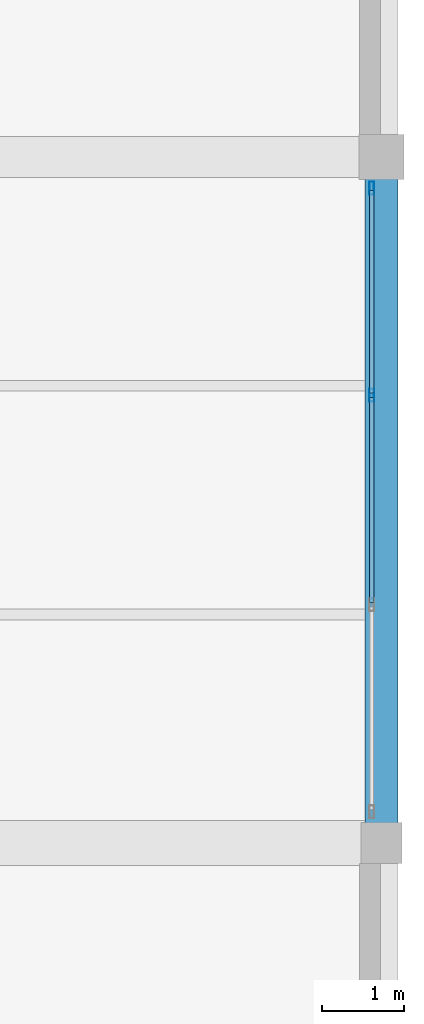
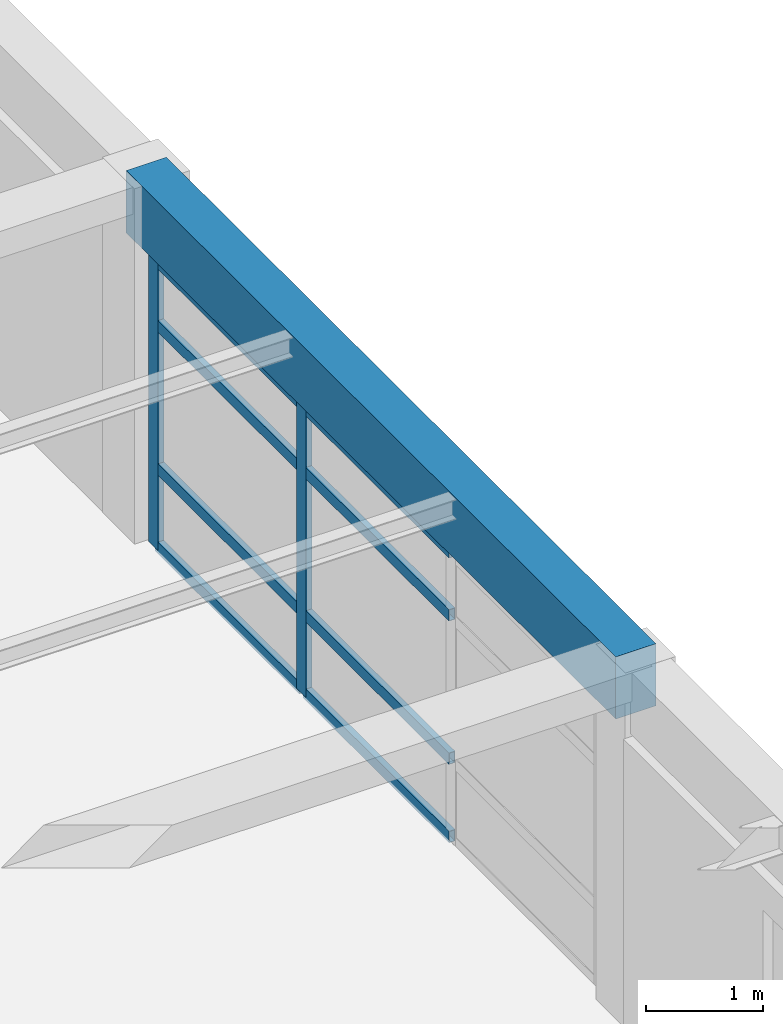
# One storey, part 16 of 20: 10 members, 1 beam, 1 element without a shape of its own.
"""IFC4 building model written with IfcOpenShell, lengths in metres."""

from ifc_helpers import new_model, si_unit, direction, frame, origin, origin_2d, place, context, subcontext, project, spatial, rectangle, hollow_rectangle, extrude, material, material_profile, profile_set, type_object, element, aggregate, save


model = new_model("IFC4")

# Units and contexts
model_context = context("Model", 3, precision=1e-05, world=origin(), true_north=direction((0.0, 1.0)))
body_context = subcontext(model_context, "Body", "Model", "MODEL_VIEW")
ifc_project = project(units=[si_unit("LENGTHUNIT", "METRE"), si_unit("AREAUNIT", "SQUARE_METRE"), si_unit("VOLUMEUNIT", "CUBIC_METRE"), si_unit("PLANEANGLEUNIT", "RADIAN"), si_unit("MASSUNIT", "GRAM", prefix="KILO")], contexts=[model_context])

# Site, building, storey
site_placement = place(None, origin())
site = spatial("IfcSite", under=ifc_project, at=site_placement, CompositionType="ELEMENT")
building_placement = place(site_placement, origin())
building = spatial("IfcBuilding", under=site, at=building_placement, Name="Almacenes y Pasaje Nevantli", CompositionType="ELEMENT")
storey_placement = place(building_placement, frame((0.0, 0.0, 62.699951171875)))
storey = spatial("IfcBuildingStorey", under=building, at=storey_placement, Name="L15", CompositionType="ELEMENT", Elevation=62.699951171875)

# Beam
ifc_material_1 = material(Name="Concrete C35/45", Category="concrete")
ifc_material_profile_1 = material_profile(ifc_material_1, rectangle(XDim=0.39990234375, YDim=0.64990234375, at=origin_2d()), Name="RC-BM-400x650")
ifc_profile_set_1 = profile_set([ifc_material_profile_1], Name="Concrete C35/45")
beam_type = type_object("IfcBeamType", Name="BM-RC-400x650", PredefinedType="SPANDREL", material=ifc_profile_set_1)
beam_placement = place(storey_placement, frame((151.199951171875, 75.60009765625, 3.39501953125), z_axis=(0.0, 1.0, 0.0), x_axis=(-1.0, 0.0, 0.0)))
element("IfcBeam", 1, at=beam_placement, inside=storey, type_object=beam_type, Name="L15 North-South Reinforced Concrete Beam #4041", PredefinedType="SPANDREL", context=body_context, shape_type="SweptSolid", body=[
    extrude(rectangle(XDim=0.39990234375, YDim=0.64990234375, at=origin_2d()), origin(), (0.0, 0.0, 1.0), 8.39990234375),
])

# Curtain wall, members
ifc_material_2 = material(Name="Thermally Broken Aluminium and Low-E Glass", Category="aluminium")
curtain_wall_type = type_object("IfcCurtainWallType", Name="CW-UNIT-TOWER", PredefinedType="USERDEFINED", material=ifc_material_2)
curtain_wall_placement = place(storey_placement, origin())
curtain_wall = element("IfcCurtainWall", 2, at=curtain_wall_placement, inside=storey, type_object=curtain_wall_type, Name="L15 Tower East Curtain Wall Bay 10", ObjectType="UNITIZED CURTAIN WALL", PredefinedType="USERDEFINED")
ifc_material_3 = material(Name="Thermally Broken Anodized Aluminium", Category="aluminium")
ifc_material_profile_2 = material_profile(ifc_material_3, hollow_rectangle(XDim=0.06005859375, YDim=0.159912109375, WallThickness=0.00390625, at=origin_2d()), Name="ALU-MUL-60x160")
ifc_profile_set_2 = profile_set([ifc_material_profile_2], Name="Thermally Broken Anodized Aluminium")
member_type_1 = type_object("IfcMemberType", Name="CW-MUL-180", PredefinedType="MULLION", material=ifc_profile_set_2)
member_1_placement = place(storey_placement, frame((151.080078125, 81.083251953125, 0.0), z_axis=(0.0, 0.0, 1.0), x_axis=(-1.0, 0.0, 0.0)))
member_1 = element("IfcMember", 3, at=member_1_placement, type_object=member_type_1, Name="CW-L15-189 mullion 3", PredefinedType="MULLION", context=body_context, shape_type="SweptSolid", body=[
    extrude(hollow_rectangle(XDim=0.06005859375, YDim=0.159912109375, WallThickness=0.00390625, at=origin_2d()), origin(), (0.0, 0.0, 1.0), 3.0400390625),
])
member_2_placement = place(storey_placement, frame((151.080078125, 83.6201171875, 0.0), z_axis=(0.0, 0.0, 1.0), x_axis=(-1.0, 0.0, 0.0)))
member_2 = element("IfcMember", 4, at=member_2_placement, type_object=member_type_1, Name="CW-L15-189 mullion 4", PredefinedType="MULLION", context=body_context, shape_type="SweptSolid", body=[
    extrude(hollow_rectangle(XDim=0.06005859375, YDim=0.159912109375, WallThickness=0.00390625, at=origin_2d()), origin(), (0.0, 0.0, 1.0), 3.0400390625),
])
ifc_material_4 = material(Name="Thermally Broken Anodized Aluminium", Category="aluminium")
ifc_material_profile_3 = material_profile(ifc_material_4, hollow_rectangle(XDim=0.06005859375, YDim=0.1201171875, WallThickness=0.00341796875, at=origin_2d()), Name="ALU-TRN-60x120")
ifc_profile_set_3 = profile_set([ifc_material_profile_3], Name="Thermally Broken Anodized Aluminium")
member_type_2 = type_object("IfcMemberType", Name="CW-TRN-130", PredefinedType="USERDEFINED", material=ifc_profile_set_3)
member_3_placement = place(storey_placement, frame((151.080078125, 78.546630859375, 0.030029296875), z_axis=(0.0, 1.0, 0.0), x_axis=(-1.0, 0.0, 0.0)))
member_3 = element("IfcMember", 5, at=member_3_placement, type_object=member_type_2, Name="CW-L15-189 transom 2.1", ObjectType="TRANSOM", PredefinedType="USERDEFINED", context=body_context, shape_type="SweptSolid", body=[
    extrude(hollow_rectangle(XDim=0.06005859375, YDim=0.1201171875, WallThickness=0.00341796875, at=origin_2d()), origin(), (0.0, 0.0, 1.0), 2.506591796875),
])
member_4_placement = place(storey_placement, frame((151.080078125, 78.546630859375, 0.85009765625), z_axis=(0.0, 1.0, 0.0), x_axis=(-1.0, 0.0, 0.0)))
member_4 = element("IfcMember", 6, at=member_4_placement, type_object=member_type_2, Name="CW-L15-189 transom 2.2", ObjectType="TRANSOM", PredefinedType="USERDEFINED", context=body_context, shape_type="SweptSolid", body=[
    extrude(hollow_rectangle(XDim=0.06005859375, YDim=0.1201171875, WallThickness=0.00341796875, at=origin_2d()), origin(), (0.0, 0.0, 1.0), 2.506591796875),
])
member_5_placement = place(storey_placement, frame((151.080078125, 78.546630859375, 2.35009765625), z_axis=(0.0, 1.0, 0.0), x_axis=(-1.0, 0.0, 0.0)))
member_5 = element("IfcMember", 7, at=member_5_placement, type_object=member_type_2, Name="CW-L15-189 transom 2.3", ObjectType="TRANSOM", PredefinedType="USERDEFINED", context=body_context, shape_type="SweptSolid", body=[
    extrude(hollow_rectangle(XDim=0.06005859375, YDim=0.1201171875, WallThickness=0.00341796875, at=origin_2d()), origin(), (0.0, 0.0, 1.0), 2.506591796875),
])
member_6_placement = place(storey_placement, frame((151.080078125, 78.546630859375, 3.010009765625), z_axis=(0.0, 1.0, 0.0), x_axis=(-1.0, 0.0, 0.0)))
member_6 = element("IfcMember", 8, at=member_6_placement, type_object=member_type_2, Name="CW-L15-189 transom 2.4", ObjectType="TRANSOM", PredefinedType="USERDEFINED", context=body_context, shape_type="SweptSolid", body=[
    extrude(hollow_rectangle(XDim=0.06005859375, YDim=0.1201171875, WallThickness=0.00341796875, at=origin_2d()), origin(), (0.0, 0.0, 1.0), 2.506591796875),
])
member_7_placement = place(storey_placement, frame((151.080078125, 81.11328125, 0.030029296875), z_axis=(0.0, 1.0, 0.0), x_axis=(-1.0, 0.0, 0.0)))
member_7 = element("IfcMember", 9, at=member_7_placement, type_object=member_type_2, Name="CW-L15-189 transom 3.1", ObjectType="TRANSOM", PredefinedType="USERDEFINED", context=body_context, shape_type="SweptSolid", body=[
    extrude(hollow_rectangle(XDim=0.06005859375, YDim=0.1201171875, WallThickness=0.00341796875, at=origin_2d()), origin(), (0.0, 0.0, 1.0), 2.476806640625),
])
member_8_placement = place(storey_placement, frame((151.080078125, 81.11328125, 0.85009765625), z_axis=(0.0, 1.0, 0.0), x_axis=(-1.0, 0.0, 0.0)))
member_8 = element("IfcMember", 10, at=member_8_placement, type_object=member_type_2, Name="CW-L15-189 transom 3.2", ObjectType="TRANSOM", PredefinedType="USERDEFINED", context=body_context, shape_type="SweptSolid", body=[
    extrude(hollow_rectangle(XDim=0.06005859375, YDim=0.1201171875, WallThickness=0.00341796875, at=origin_2d()), origin(), (0.0, 0.0, 1.0), 2.476806640625),
])
member_9_placement = place(storey_placement, frame((151.080078125, 81.11328125, 2.35009765625), z_axis=(0.0, 1.0, 0.0), x_axis=(-1.0, 0.0, 0.0)))
member_9 = element("IfcMember", 11, at=member_9_placement, type_object=member_type_2, Name="CW-L15-189 transom 3.3", ObjectType="TRANSOM", PredefinedType="USERDEFINED", context=body_context, shape_type="SweptSolid", body=[
    extrude(hollow_rectangle(XDim=0.06005859375, YDim=0.1201171875, WallThickness=0.00341796875, at=origin_2d()), origin(), (0.0, 0.0, 1.0), 2.476806640625),
])
member_10_placement = place(storey_placement, frame((151.080078125, 81.11328125, 3.010009765625), z_axis=(0.0, 1.0, 0.0), x_axis=(-1.0, 0.0, 0.0)))
member_10 = element("IfcMember", 12, at=member_10_placement, type_object=member_type_2, Name="CW-L15-189 transom 3.4", ObjectType="TRANSOM", PredefinedType="USERDEFINED", context=body_context, shape_type="SweptSolid", body=[
    extrude(hollow_rectangle(XDim=0.06005859375, YDim=0.1201171875, WallThickness=0.00341796875, at=origin_2d()), origin(), (0.0, 0.0, 1.0), 2.476806640625),
])
aggregate(curtain_wall, [member_1, member_2, member_3, member_4, member_5, member_6, member_7, member_8, member_9, member_10])

save(model, "model.ifc")
